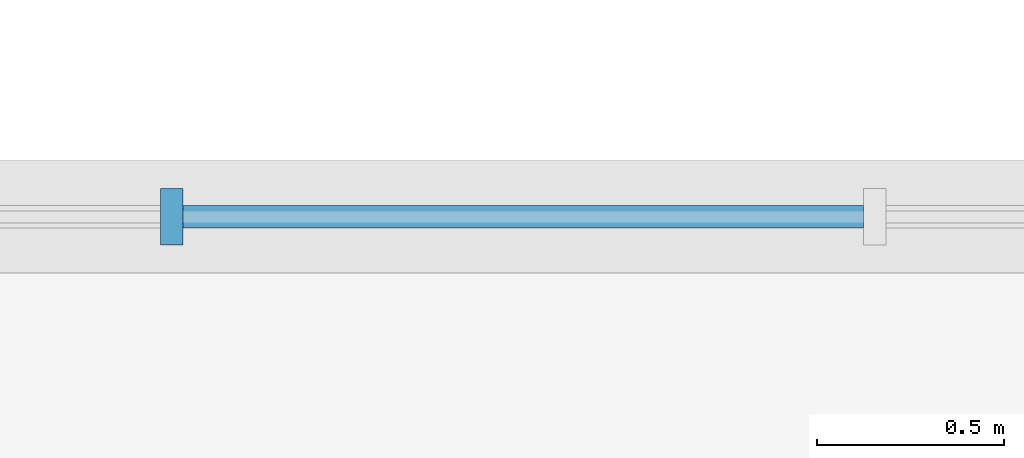
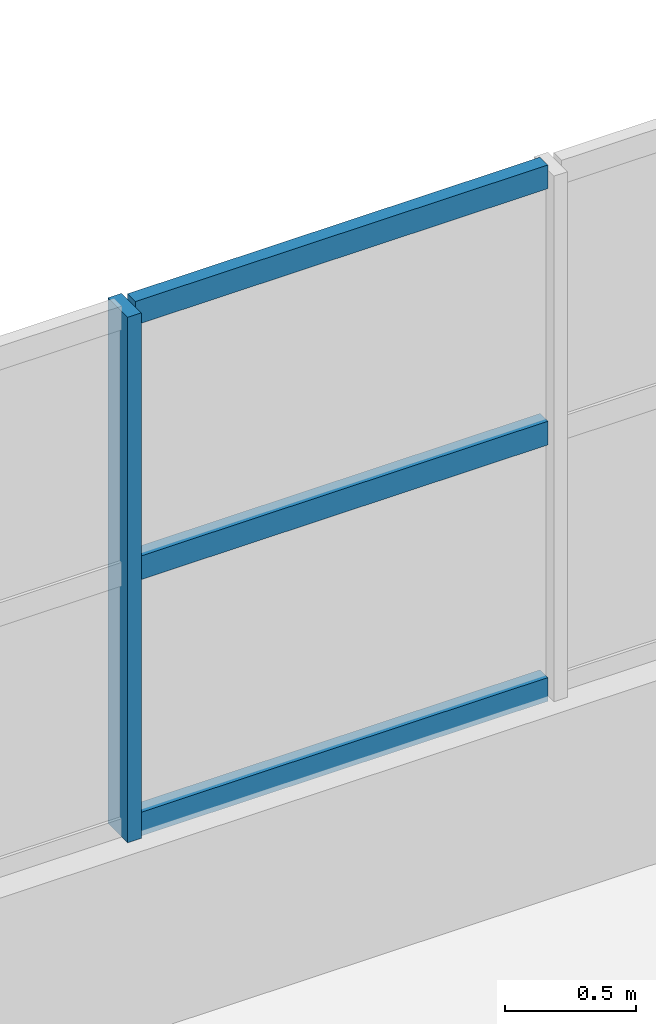
# One storey, part 11 of 69: 4 members, 1 element without a shape of its own.
"""IFC4 building model written with IfcOpenShell, lengths in metres."""

from ifc_helpers import new_model, si_unit, direction, frame, origin, origin_2d, place, context, subcontext, project, spatial, rectangle, extrude, material, material_profile, profile_set, type_object, element, aggregate, save


model = new_model("IFC4")

# Units and contexts
model_context = context("Model", 3, precision=1e-05, world=origin(), true_north=direction((0.0, 1.0)))
body_context = subcontext(model_context, "Body", "Model", "MODEL_VIEW")
ifc_project = project(units=[si_unit("LENGTHUNIT", "METRE"), si_unit("AREAUNIT", "SQUARE_METRE"), si_unit("VOLUMEUNIT", "CUBIC_METRE"), si_unit("PLANEANGLEUNIT", "RADIAN"), si_unit("MASSUNIT", "GRAM", prefix="KILO")], contexts=[model_context])

# Site, building, storey
site_placement = place(None, origin())
site = spatial("IfcSite", under=ifc_project, at=site_placement, CompositionType="ELEMENT")
building_placement = place(site_placement, origin())
building = spatial("IfcBuilding", under=site, at=building_placement, Name="Nzembalo Square Collegiate School", CompositionType="ELEMENT")
storey_placement = place(building_placement, frame((0.0, 0.0, 5.10009765625)))
storey = spatial("IfcBuildingStorey", under=building, at=storey_placement, Name="L01", CompositionType="ELEMENT", Elevation=5.10009765625)

# Curtain wall, members
ifc_material_1 = material(Name="Aluminium 6060-T66", Category="aluminium")
curtain_wall_type = type_object("IfcCurtainWallType", Name="CW-12", PredefinedType="USERDEFINED", material=ifc_material_1)
curtain_wall_placement = place(storey_placement, origin())
curtain_wall = element("IfcCurtainWall", 1, at=curtain_wall_placement, inside=storey, type_object=curtain_wall_type, Name="Curtain wall CW-12 cw:L01:059", ObjectType="LANCET", PredefinedType="USERDEFINED")
ifc_material_2 = material(Name="Aluminium 6060-T66", Category="aluminium")
ifc_material_profile_1 = material_profile(ifc_material_2, rectangle(XDim=0.06005859375, YDim=0.14990234375, at=origin_2d()), Name="ALU M60x150")
ifc_profile_set_1 = profile_set([ifc_material_profile_1], Name="Aluminium 6060-T66")
member_type_1 = type_object("IfcMemberType", Name="ML02", PredefinedType="MULLION", material=ifc_profile_set_1)
member_1_placement = place(storey_placement, frame((134.776123046875, 50.39990234375, 0.849853515625), z_axis=(0.0, 0.0, 1.0), x_axis=(1.0, 0.0, 0.0)))
member_1 = element("IfcMember", 2, at=member_1_placement, type_object=member_type_1, Name="ML02 mullion 3", PredefinedType="MULLION", context=body_context, shape_type="SweptSolid", body=[
    extrude(rectangle(XDim=0.06005859375, YDim=0.14990234375, at=origin_2d()), origin(), (0.0, 0.0, 1.0), 2.444091796875),
])
ifc_material_3 = material(Name="Aluminium 6060-T66", Category="aluminium")
ifc_material_profile_2 = material_profile(ifc_material_3, rectangle(XDim=0.06005859375, YDim=0.110107421875, at=origin_2d()), Name="ALU T60x110")
ifc_profile_set_2 = profile_set([ifc_material_profile_2], Name="Aluminium 6060-T66")
member_type_2 = type_object("IfcMemberType", Name="TR02", PredefinedType="USERDEFINED", material=ifc_profile_set_2)
member_2_placement = place(storey_placement, frame((134.80615234375, 50.39990234375, 0.8798828125), z_axis=(1.0, 0.0, 0.0), x_axis=(0.0, 1.0, 0.0)))
member_2 = element("IfcMember", 3, at=member_2_placement, type_object=member_type_2, Name="TR02 transom 1-3", ObjectType="TRANSOM", PredefinedType="USERDEFINED", context=body_context, shape_type="SweptSolid", body=[
    extrude(rectangle(XDim=0.06005859375, YDim=0.110107421875, at=origin_2d()), origin(), (0.0, 0.0, 1.0), 1.814697265625),
])
member_3_placement = place(storey_placement, frame((134.80615234375, 50.39990234375, 2.072021484375), z_axis=(1.0, 0.0, 0.0), x_axis=(0.0, 1.0, 0.0)))
member_3 = element("IfcMember", 4, at=member_3_placement, type_object=member_type_2, Name="TR02 transom 2-3", ObjectType="TRANSOM", PredefinedType="USERDEFINED", context=body_context, shape_type="SweptSolid", body=[
    extrude(rectangle(XDim=0.06005859375, YDim=0.110107421875, at=origin_2d()), origin(), (0.0, 0.0, 1.0), 1.814697265625),
])
member_4_placement = place(storey_placement, frame((134.80615234375, 50.39990234375, 3.263916015625), z_axis=(1.0, 0.0, 0.0), x_axis=(0.0, 1.0, 0.0)))
member_4 = element("IfcMember", 5, at=member_4_placement, type_object=member_type_2, Name="TR02 transom 3-3", ObjectType="TRANSOM", PredefinedType="USERDEFINED", context=body_context, shape_type="SweptSolid", body=[
    extrude(rectangle(XDim=0.06005859375, YDim=0.110107421875, at=origin_2d()), origin(), (0.0, 0.0, 1.0), 1.814697265625),
])
aggregate(curtain_wall, [member_1, member_2, member_3, member_4])

save(model, "model.ifc")
